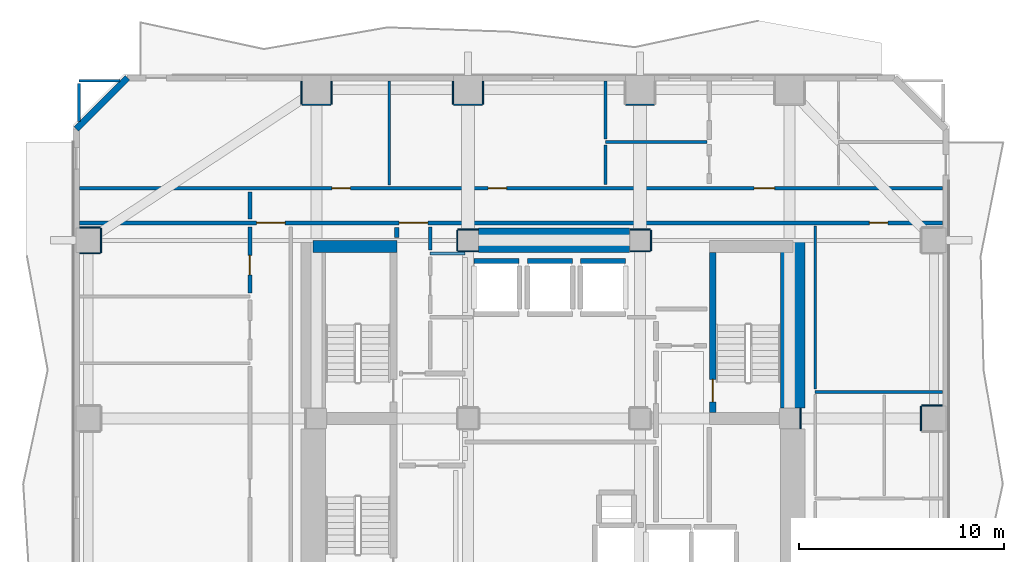
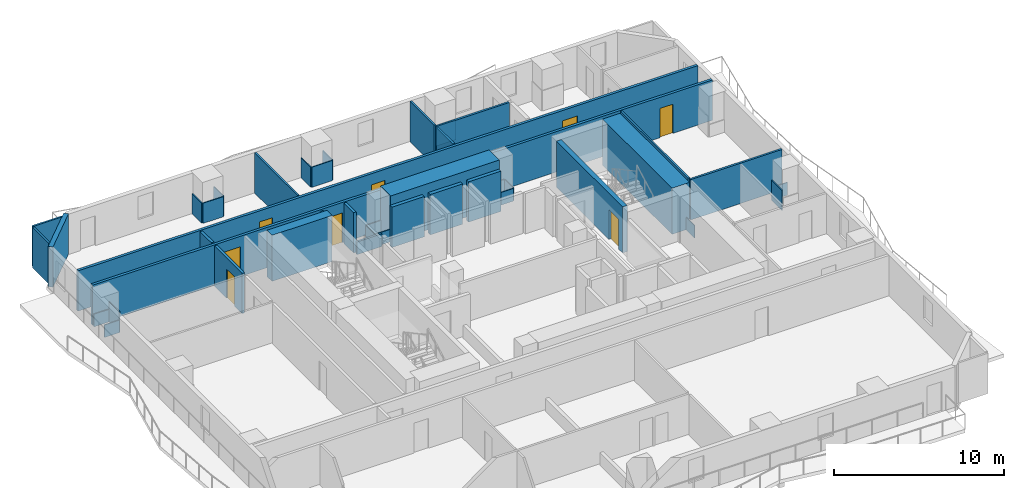
# One storey, part 5 of 10: 42 walls, 8 doors, 8 openings.
"""IFC4 building model written with IfcOpenShell, lengths in metres."""

from ifc_helpers import new_model, si_unit, direction, frame, frame_2d, origin, place, context, subcontext, project, spatial, rectangle, extrude, material, layer, layer_set, type_object, element, fill, save


model = new_model("IFC4")

# Units and contexts
model_context = context("Model", 3, precision=1e-05, world=origin(), true_north=direction((0.0, 1.0)))
body_context = subcontext(model_context, "Body", "Model", "MODEL_VIEW")
ifc_project = project(units=[si_unit("LENGTHUNIT", "METRE"), si_unit("AREAUNIT", "SQUARE_METRE"), si_unit("VOLUMEUNIT", "CUBIC_METRE"), si_unit("PLANEANGLEUNIT", "RADIAN"), si_unit("MASSUNIT", "GRAM", prefix="KILO")], contexts=[model_context])

# Site, building, storey
site_placement = place(None, origin())
site = spatial("IfcSite", under=ifc_project, at=site_placement, CompositionType="ELEMENT")
building_placement = place(site_placement, origin())
building = spatial("IfcBuilding", under=site, at=building_placement, Name="Solanera Arch Residences", CompositionType="ELEMENT")
storey_placement = place(building_placement, frame((0.0, 0.0, 38.60009765625)))
storey = spatial("IfcBuildingStorey", under=building, at=storey_placement, Name="L10", CompositionType="ELEMENT", Elevation=38.60009765625)

# Walls
ifc_material_1 = material(Name="Fire-Rated Gypsum Stud Partition", Category="gypsum")
ifc_layer_1 = layer(ifc_material_1, 0.06005859375)
ifc_layer_set_1 = layer_set([ifc_layer_1], Name="Fire-Rated Gypsum Stud Partition")
wall_type_1 = type_object("IfcWallType", Name="Column Acoustic Furring Wall 60", PredefinedType="PARTITIONING", material=ifc_layer_set_1)
for number, where, z_axis, x_axis, name in (
    (1, (20.300048828125, 38.867919921875, 0.0), (0.0, 0.0, 1.0), (1.0, 0.0, 0.0), "L10 Column Furring 3S"),
    (2, (20.300048828125, 39.931884765625, 0.0), (0.0, 0.0, 1.0), (1.0, 0.0, 0.0), "L10 Column Furring 3N"),
):
    element("IfcWall", number, at=place(storey_placement, frame(where, z_axis=z_axis, x_axis=x_axis)), inside=storey, type_object=wall_type_1, Name=name, PredefinedType="PARTITIONING", context=body_context, shape_type="SweptSolid", body=[
        extrude(rectangle(XDim=0.989990234375, YDim=0.06005859375, at=frame_2d((0.4951171875, 0.0))), origin(), (0.0, 0.0, 1.0), 0.90478515625),
    ])
wall_1_placement = place(storey_placement, frame((20.26806640625, 38.89990234375, 0.0), z_axis=(0.0, 0.0, 1.0), x_axis=(0.0, 1.0, 0.0)))
element("IfcWall", 3, at=wall_1_placement, inside=storey, type_object=wall_type_1, Name="L10 Column Furring 3W", PredefinedType="PARTITIONING", context=body_context, shape_type="SweptSolid", body=[
    extrude(rectangle(XDim=1.0, YDim=0.06005859375, at=frame_2d((0.5, 0.0))), origin(), (0.0, 0.0, 1.0), 0.90478515625),
])
for number, where, z_axis, x_axis, name in (
    (4, (28.7099609375, 38.867919921875, 0.0), (0.0, 0.0, 1.0), (1.0, 0.0, 0.0), "L10 Column Furring 4S"),
    (5, (28.7099609375, 39.931884765625, 0.0), (0.0, 0.0, 1.0), (1.0, 0.0, 0.0), "L10 Column Furring 4N"),
):
    element("IfcWall", number, at=place(storey_placement, frame(where, z_axis=z_axis, x_axis=x_axis)), inside=storey, type_object=wall_type_1, Name=name, PredefinedType="PARTITIONING", context=body_context, shape_type="SweptSolid", body=[
        extrude(rectangle(XDim=0.989990234375, YDim=0.06005859375, at=frame_2d((0.4951171875, 0.0))), origin(), (0.0, 0.0, 1.0), 0.90478515625),
    ])
wall_2_placement = place(storey_placement, frame((29.73193359375, 38.89990234375, 0.0), z_axis=(0.0, 0.0, 1.0), x_axis=(0.0, 1.0, 0.0)))
element("IfcWall", 6, at=wall_2_placement, inside=storey, type_object=wall_type_1, Name="L10 Column Furring 4E", PredefinedType="PARTITIONING", context=body_context, shape_type="SweptSolid", body=[
    extrude(rectangle(XDim=1.0, YDim=0.06005859375, at=frame_2d((0.5, 0.0))), origin(), (0.0, 0.0, 1.0), 0.90478515625),
])
wall_3_placement = place(storey_placement, frame((37.031982421875, 30.2099609375, 0.0), z_axis=(0.0, 0.0, 1.0), x_axis=(0.0, 1.0, 0.0)))
element("IfcWall", 7, at=wall_3_placement, inside=storey, type_object=wall_type_1, Name="L10 Column Furring 6E", PredefinedType="PARTITIONING", context=body_context, shape_type="SweptSolid", body=[
    extrude(rectangle(XDim=0.97998046875, YDim=0.06005859375, at=frame_2d((0.489990234375, 0.0))), origin(), (0.0, 0.0, 1.0), 0.90478515625),
])
wall_4_placement = place(storey_placement, frame((12.699951171875, 46.01806640625, 0.0), z_axis=(0.0, 0.0, 1.0), x_axis=(1.0, 0.0, 0.0)))
element("IfcWall", 8, at=wall_4_placement, inside=storey, type_object=wall_type_1, Name="L10 Column Furring 10S", PredefinedType="PARTITIONING", context=body_context, shape_type="SweptSolid", body=[
    extrude(rectangle(XDim=1.400146484375, YDim=0.06005859375, at=frame_2d((0.7001953125, 0.0))), origin(), (0.0, 0.0, 1.0), 1.449951171875),
])
for number, where, z_axis, x_axis, name in (
    (9, (12.66796875, 46.050048828125, 0.0), (0.0, 0.0, 1.0), (0.0, 1.0, 0.0), "L10 Column Furring 10W"),
    (10, (14.132080078125, 46.050048828125, 0.0), (0.0, 0.0, 1.0), (0.0, 1.0, 0.0), "L10 Column Furring 10E"),
):
    element("IfcWall", number, at=place(storey_placement, frame(where, z_axis=z_axis, x_axis=x_axis)), inside=storey, type_object=wall_type_1, Name=name, PredefinedType="PARTITIONING", context=body_context, shape_type="SweptSolid", body=[
        extrude(rectangle(XDim=1.119873046875, YDim=0.06005859375, at=frame_2d((0.56005859375, 0.0))), origin(), (0.0, 0.0, 1.0), 1.449951171875),
    ])
wall_5_placement = place(storey_placement, frame((20.10009765625, 46.01806640625, 0.0), z_axis=(0.0, 0.0, 1.0), x_axis=(1.0, 0.0, 0.0)))
element("IfcWall", 11, at=wall_5_placement, inside=storey, type_object=wall_type_1, Name="L10 Column Furring 12S", PredefinedType="PARTITIONING", context=body_context, shape_type="SweptSolid", body=[
    extrude(rectangle(XDim=1.39990234375, YDim=0.06005859375, at=frame_2d((0.699951171875, 0.0))), origin(), (0.0, 0.0, 1.0), 1.449951171875),
])
for number, where, z_axis, x_axis, name in (
    (12, (20.068115234375, 46.050048828125, 0.0), (0.0, 0.0, 1.0), (0.0, 1.0, 0.0), "L10 Column Furring 12W"),
    (13, (21.531982421875, 46.050048828125, 0.0), (0.0, 0.0, 1.0), (0.0, 1.0, 0.0), "L10 Column Furring 12E"),
):
    element("IfcWall", number, at=place(storey_placement, frame(where, z_axis=z_axis, x_axis=x_axis)), inside=storey, type_object=wall_type_1, Name=name, PredefinedType="PARTITIONING", context=body_context, shape_type="SweptSolid", body=[
        extrude(rectangle(XDim=1.119873046875, YDim=0.06005859375, at=frame_2d((0.56005859375, 0.0))), origin(), (0.0, 0.0, 1.0), 1.449951171875),
    ])
wall_6_placement = place(storey_placement, frame((28.5, 46.01806640625, 0.0), z_axis=(0.0, 0.0, 1.0), x_axis=(1.0, 0.0, 0.0)))
element("IfcWall", 14, at=wall_6_placement, inside=storey, type_object=wall_type_1, Name="L10 Column Furring 14S", PredefinedType="PARTITIONING", context=body_context, shape_type="SweptSolid", body=[
    extrude(rectangle(XDim=1.39990234375, YDim=0.06005859375, at=frame_2d((0.699951171875, 0.0))), origin(), (0.0, 0.0, 1.0), 1.449951171875),
])
wall_7_placement = place(storey_placement, frame((42.949951171875, 31.33203125, 0.0), z_axis=(0.0, 0.0, 1.0), x_axis=(1.0, 0.0, 0.0)))
element("IfcWall", 15, at=wall_7_placement, inside=storey, type_object=wall_type_1, Name="L10 Column Furring 20N", PredefinedType="PARTITIONING", context=body_context, shape_type="SweptSolid", body=[
    extrude(rectangle(XDim=1.02001953125, YDim=0.06005859375, at=frame_2d((0.510009765625, 0.0))), origin(), (0.0, 0.0, 1.0), 0.90478515625),
])
wall_8_placement = place(storey_placement, frame((42.91796875, 30.10009765625, 0.0), z_axis=(0.0, 0.0, 1.0), x_axis=(0.0, 1.0, 0.0)))
element("IfcWall", 16, at=wall_8_placement, inside=storey, type_object=wall_type_1, Name="L10 Column Furring 20W", PredefinedType="PARTITIONING", context=body_context, shape_type="SweptSolid", body=[
    extrude(rectangle(XDim=1.199951171875, YDim=0.06005859375, at=frame_2d((0.60009765625, 0.0))), origin(), (0.0, 0.0, 1.0), 1.449951171875),
])
for number, where, z_axis, x_axis, name in (
    (17, (1.830078125, 38.76806640625, 0.0), (0.0, 0.0, 1.0), (1.0, 0.0, 0.0), "L10 Column Furring 21S"),
    (18, (1.830078125, 40.031982421875, 0.0), (0.0, 0.0, 1.0), (1.0, 0.0, 0.0), "L10 Column Furring 21N"),
):
    element("IfcWall", number, at=place(storey_placement, frame(where, z_axis=z_axis, x_axis=x_axis)), inside=storey, type_object=wall_type_1, Name=name, PredefinedType="PARTITIONING", context=body_context, shape_type="SweptSolid", body=[
        extrude(rectangle(XDim=1.02001953125, YDim=0.06005859375, at=frame_2d((0.510009765625, 0.0))), origin(), (0.0, 0.0, 1.0), 0.90478515625),
    ])
wall_9_placement = place(storey_placement, frame((2.882080078125, 38.800048828125, 0.0), z_axis=(0.0, 0.0, 1.0), x_axis=(0.0, 1.0, 0.0)))
element("IfcWall", 19, at=wall_9_placement, inside=storey, type_object=wall_type_1, Name="L10 Column Furring 21E", PredefinedType="PARTITIONING", context=body_context, shape_type="SweptSolid", body=[
    extrude(rectangle(XDim=1.199951171875, YDim=0.06005859375, at=frame_2d((0.60009765625, 0.0))), origin(), (0.0, 0.0, 1.0), 1.449951171875),
])
ifc_material_2 = material(Name="Concrete C55/67 (f'c = 60 MPa)", Category="concrete")
ifc_layer_2 = layer(ifc_material_2, 1.199951171875)
ifc_layer_set_2 = layer_set([ifc_layer_2], Name="Concrete C55/67 (f'c = 60 MPa)")
wall_type_2 = type_object("IfcWallType", Name="Core Shear Wall CW-1200", PredefinedType="SHEAR", material=ifc_layer_set_2)
wall_10_placement = place(storey_placement, frame((36.659912109375, 31.205078125, 0.0), z_axis=(0.0, 0.0, 1.0), x_axis=(0.0, 1.0, 0.0)))
element("IfcWall", 20, at=wall_10_placement, inside=storey, type_object=wall_type_2, Name="L10 East Core North Shear Wall", PredefinedType="SHEAR", context=body_context, shape_type="SweptSolid", body=[
    extrude(rectangle(XDim=8.19482421875, YDim=1.199951171875, at=frame_2d((4.097412109375, 0.0))), origin(), (0.0, 0.0, 1.0), 3.31982421875),
])
wall_11_placement = place(storey_placement, frame((21.304931640625, 39.39990234375, 0.0), z_axis=(0.0, 0.0, 1.0), x_axis=(1.0, 0.0, 0.0)))
element("IfcWall", 21, at=wall_11_placement, inside=storey, type_object=wall_type_2, Name="L10 Central North Core Shear Wall", PredefinedType="SHEAR", context=body_context, shape_type="SweptSolid", body=[
    extrude(rectangle(XDim=7.39013671875, YDim=1.199951171875, at=frame_2d((3.695068359375, 0.0))), origin(), (0.0, 0.0, 1.0), 3.31982421875),
])

# Wall, opening, door
ifc_material_3 = material(Name="Concrete C40/50 (f'c = 45 MPa)", Category="concrete")
ifc_layer_3 = layer(ifc_material_3, 0.320068359375)
ifc_layer_set_3 = layer_set([ifc_layer_3], Name="Concrete C40/50 (f'c = 45 MPa)")
wall_type_3 = type_object("IfcWallType", Name="Core Shear Wall CW-320", PredefinedType="SHEAR", material=ifc_layer_set_3)
wall_12_placement = place(storey_placement, frame((32.739990234375, 31.0, 0.0), z_axis=(0.0, 0.0, 1.0), x_axis=(0.0, 1.0, 0.0)))
wall_12 = element("IfcWall", 22, at=wall_12_placement, inside=storey, type_object=wall_type_3, Name="L10 Stair ST-T2 West Shear Wall", PredefinedType="SHEAR", context=body_context, shape_type="SweptSolid", body=[
    extrude(rectangle(XDim=7.800048828125, YDim=0.320068359375, at=frame_2d((3.89990234375, 0.0))), origin(), (0.0, 0.0, 1.0), 3.31982421875),
])
opening_1_placement = place(wall_12_placement, frame((0.510009765625, 0.0, 0.0)))
opening_1 = element("IfcOpeningElement", 23, at=opening_1_placement, cuts=wall_12, Name="Opening DF-01", PredefinedType="OPENING", context=body_context, shape_type="SweptSolid", body=[
    extrude(rectangle(XDim=1.10009765625, YDim=2.14990234375, at=frame_2d((0.550048828125, 1.074951171875))), frame((0.0, 0.169921875, 0.0), z_axis=(0.0, -1.0, 0.0), x_axis=(1.0, 0.0, 0.0)), (0.0, 0.0, 1.0), 0.3401),
])
ifc_material_4 = material(Name="Fire-Rated Architectural Hardwood", Category="wood")
door_type_1 = type_object("IfcDoorType", Name="Stair Exit Fire Door DF-01", OperationType="NOTDEFINED", PredefinedType="DOOR", material=ifc_material_4)
door_1_placement = place(opening_1_placement, origin())
door_1 = element("IfcDoor", 24, at=door_1_placement, inside=storey, type_object=door_type_1, Name="DR-L10-STAIR-ST-T2", OperationType="SINGLE_SWING_LEFT", OverallHeight=2.14990234375, OverallWidth=1.10009765625, PredefinedType="DOOR", context=body_context, shape_type="SweptSolid", body=[
    extrude(rectangle(XDim=1.10009765625, YDim=2.14990234375, at=frame_2d((0.550048828125, 1.074951171875))), frame((0.0, 0.02490234375, 0.0), z_axis=(0.0, -1.0, 0.0), x_axis=(1.0, 0.0, 0.0)), (0.0, 0.0, 1.0), 0.050048828125),
])
fill(opening_1, door_1)

# Wall
ifc_material_5 = material(Name="Concrete C40/50 (f'c = 45 MPa)", Category="concrete")
ifc_layer_4 = layer(ifc_material_5, 0.60009765625)
ifc_layer_set_4 = layer_set([ifc_layer_4], Name="Concrete C40/50 (f'c = 45 MPa)")
wall_type_4 = type_object("IfcWallType", Name="Core Shear Wall CW-600", PredefinedType="SHEAR", material=ifc_layer_set_4)
wall_13_placement = place(storey_placement, frame((13.239990234375, 39.10009765625, 0.0), z_axis=(0.0, 0.0, 1.0), x_axis=(1.0, 0.0, 0.0)))
element("IfcWall", 25, at=wall_13_placement, inside=storey, type_object=wall_type_4, Name="L10 North-West Core Shear Wall", PredefinedType="SHEAR", context=body_context, shape_type="SweptSolid", body=[
    extrude(rectangle(XDim=4.080078125, YDim=0.60009765625, at=frame_2d((2.0400390625, 0.0))), origin(), (0.0, 0.0, 1.0), 3.31982421875),
])

# Wall, openings, doors
ifc_material_6 = material(Name="Autoclaved Aerated Concrete Blockwork", Category="masonry")
ifc_layer_5 = layer(ifc_material_6, 0.179931640625)
ifc_layer_set_5 = layer_set([ifc_layer_5], Name="Autoclaved Aerated Concrete Blockwork")
wall_type_5 = type_object("IfcWallType", Name="Corridor Fire Partition 180", PredefinedType="PARTITIONING", material=ifc_layer_set_5)
wall_14_placement = place(storey_placement, frame((1.826904296875, 40.25, 0.0), z_axis=(0.0, 0.0, 1.0), x_axis=(1.0, 0.0, 0.0)))
wall_14 = element("IfcWall", 26, at=wall_14_placement, inside=storey, type_object=wall_type_5, Name="L10 Interior Partition H10", PredefinedType="PARTITIONING", context=body_context, shape_type="SweptSolid", body=[
    extrude(rectangle(XDim=42.14599609375, YDim=0.179931640625, at=frame_2d((21.072998046875, 0.0))), origin(), (0.0, 0.0, 1.0), 2.89990234375),
])
opening_2_placement = place(wall_14_placement, frame((15.60791015625, 0.0, 0.0)))
opening_2 = element("IfcOpeningElement", 27, at=opening_2_placement, cuts=wall_14, Name="Opening DF-03", PredefinedType="OPENING", context=body_context, shape_type="SweptSolid", body=[
    extrude(rectangle(XDim=1.39990234375, YDim=2.14990234375, at=frame_2d((0.699951171875, 1.074951171875))), frame((0.0, 0.10009765625, 0.0), z_axis=(0.0, -1.0, 0.0), x_axis=(1.0, 0.0, 0.0)), (0.0, 0.0, 1.0), 0.1999),
])
opening_3_placement = place(wall_14_placement, frame((8.64697265625, 0.0, 0.0)))
opening_3 = element("IfcOpeningElement", 28, at=opening_3_placement, cuts=wall_14, Name="Opening DF-03", PredefinedType="OPENING", context=body_context, shape_type="SweptSolid", body=[
    extrude(rectangle(XDim=1.39990234375, YDim=2.14990234375, at=frame_2d((0.699951171875, 1.074951171875))), frame((0.0, 0.10009765625, 0.0), z_axis=(0.0, -1.0, 0.0), x_axis=(1.0, 0.0, 0.0)), (0.0, 0.0, 1.0), 0.1999),
])
opening_4_placement = place(wall_14_placement, frame((38.573974609375, 0.0, 0.0)))
opening_4 = element("IfcOpeningElement", 29, at=opening_4_placement, cuts=wall_14, Name="Opening DI-02", PredefinedType="OPENING", context=body_context, shape_type="SweptSolid", body=[
    extrude(rectangle(XDim=0.89990234375, YDim=2.10009765625, at=frame_2d((0.449951171875, 1.050048828125))), frame((0.0, 0.10009765625, 0.0), z_axis=(0.0, -1.0, 0.0), x_axis=(1.0, 0.0, 0.0)), (0.0, 0.0, 1.0), 0.1999),
])
ifc_material_7 = material(Name="Fire-Rated Architectural Hardwood", Category="wood")
door_type_2 = type_object("IfcDoorType", Name="Corridor Smoke Door DF-03", OperationType="NOTDEFINED", PredefinedType="DOOR", material=ifc_material_7)
door_2_placement = place(opening_2_placement, origin())
door_2 = element("IfcDoor", 30, at=door_2_placement, inside=storey, type_object=door_type_2, Name="DR-L10-IN-009", OperationType="SINGLE_SWING_RIGHT", OverallHeight=2.14990234375, OverallWidth=1.39990234375, PredefinedType="DOOR", context=body_context, shape_type="SweptSolid", body=[
    extrude(rectangle(XDim=1.39990234375, YDim=2.14990234375, at=frame_2d((0.699951171875, 1.074951171875))), frame((0.0, 0.02490234375, 0.0), z_axis=(0.0, -1.0, 0.0), x_axis=(1.0, 0.0, 0.0)), (0.0, 0.0, 1.0), 0.050048828125),
])
fill(opening_2, door_2)
door_3_placement = place(opening_3_placement, origin())
door_3 = element("IfcDoor", 31, at=door_3_placement, inside=storey, type_object=door_type_2, Name="DR-L10-IN-011", OperationType="SINGLE_SWING_RIGHT", OverallHeight=2.14990234375, OverallWidth=1.39990234375, PredefinedType="DOOR", context=body_context, shape_type="SweptSolid", body=[
    extrude(rectangle(XDim=1.39990234375, YDim=2.14990234375, at=frame_2d((0.699951171875, 1.074951171875))), frame((0.0, 0.02490234375, 0.0), z_axis=(0.0, -1.0, 0.0), x_axis=(1.0, 0.0, 0.0)), (0.0, 0.0, 1.0), 0.050048828125),
])
fill(opening_3, door_3)
ifc_material_8 = material(Name="Fire-Rated Architectural Hardwood", Category="wood")
door_type_3 = type_object("IfcDoorType", Name="Suite Room Swing Door DI-02", OperationType="NOTDEFINED", PredefinedType="DOOR", material=ifc_material_8)
door_4_placement = place(opening_4_placement, origin())
door_4 = element("IfcDoor", 32, at=door_4_placement, inside=storey, type_object=door_type_3, Name="DR-L10-IN-035", OperationType="SINGLE_SWING_RIGHT", OverallHeight=2.10009765625, OverallWidth=0.89990234375, PredefinedType="DOOR", context=body_context, shape_type="SweptSolid", body=[
    extrude(rectangle(XDim=0.89990234375, YDim=2.10009765625, at=frame_2d((0.449951171875, 1.050048828125))), frame((0.0, 0.02490234375, 0.0), z_axis=(0.0, -1.0, 0.0), x_axis=(1.0, 0.0, 0.0)), (0.0, 0.0, 1.0), 0.050048828125),
])
fill(opening_4, door_4)

wall_15_placement = place(storey_placement, frame((1.826904296875, 41.949951171875, 0.0), z_axis=(0.0, 0.0, 1.0), x_axis=(1.0, 0.0, 0.0)))
wall_15 = element("IfcWall", 33, at=wall_15_placement, inside=storey, type_object=wall_type_5, Name="L10 Interior Partition H11", PredefinedType="PARTITIONING", context=body_context, shape_type="SweptSolid", body=[
    extrude(rectangle(XDim=42.14599609375, YDim=0.179931640625, at=frame_2d((21.072998046875, 0.0))), origin(), (0.0, 0.0, 1.0), 2.89990234375),
])
opening_5_placement = place(wall_15_placement, frame((12.322021484375, 0.0, 0.0)))
opening_5 = element("IfcOpeningElement", 34, at=opening_5_placement, cuts=wall_15, Name="Opening DI-02", PredefinedType="OPENING", context=body_context, shape_type="SweptSolid", body=[
    extrude(rectangle(XDim=0.89990234375, YDim=2.10009765625, at=frame_2d((0.449951171875, 1.050048828125))), frame((0.0, 0.10009765625, 0.0), z_axis=(0.0, -1.0, 0.0), x_axis=(1.0, 0.0, 0.0)), (0.0, 0.0, 1.0), 0.1999),
])
opening_6_placement = place(wall_15_placement, frame((19.95703125, 0.0, 0.0)))
opening_6 = element("IfcOpeningElement", 35, at=opening_6_placement, cuts=wall_15, Name="Opening DI-02", PredefinedType="OPENING", context=body_context, shape_type="SweptSolid", body=[
    extrude(rectangle(XDim=0.89990234375, YDim=2.10009765625, at=frame_2d((0.449951171875, 1.050048828125))), frame((0.0, 0.10009765625, 0.0), z_axis=(0.0, -1.0, 0.0), x_axis=(1.0, 0.0, 0.0)), (0.0, 0.0, 1.0), 0.1999),
])
opening_7_placement = place(wall_15_placement, frame((32.949951171875, 0.0, 0.0)))
opening_7 = element("IfcOpeningElement", 36, at=opening_7_placement, cuts=wall_15, Name="Opening DI-01", PredefinedType="OPENING", context=body_context, shape_type="SweptSolid", body=[
    extrude(rectangle(XDim=1.0, YDim=2.14990234375, at=frame_2d((0.5, 1.074951171875))), frame((0.0, 0.10009765625, 0.0), z_axis=(0.0, -1.0, 0.0), x_axis=(1.0, 0.0, 0.0)), (0.0, 0.0, 1.0), 0.1999),
])
door_5_placement = place(opening_5_placement, origin())
door_5 = element("IfcDoor", 37, at=door_5_placement, inside=storey, type_object=door_type_3, Name="DR-L10-IN-022", OperationType="SINGLE_SWING_LEFT", OverallHeight=2.10009765625, OverallWidth=0.89990234375, PredefinedType="DOOR", context=body_context, shape_type="SweptSolid", body=[
    extrude(rectangle(XDim=0.89990234375, YDim=2.10009765625, at=frame_2d((0.449951171875, 1.050048828125))), frame((0.0, 0.02490234375, 0.0), z_axis=(0.0, -1.0, 0.0), x_axis=(1.0, 0.0, 0.0)), (0.0, 0.0, 1.0), 0.050048828125),
])
fill(opening_5, door_5)
door_6_placement = place(opening_6_placement, origin())
door_6 = element("IfcDoor", 38, at=door_6_placement, inside=storey, type_object=door_type_3, Name="DR-L10-IN-023", OperationType="SINGLE_SWING_RIGHT", OverallHeight=2.10009765625, OverallWidth=0.89990234375, PredefinedType="DOOR", context=body_context, shape_type="SweptSolid", body=[
    extrude(rectangle(XDim=0.89990234375, YDim=2.10009765625, at=frame_2d((0.449951171875, 1.050048828125))), frame((0.0, 0.02490234375, 0.0), z_axis=(0.0, -1.0, 0.0), x_axis=(1.0, 0.0, 0.0)), (0.0, 0.0, 1.0), 0.050048828125),
])
fill(opening_6, door_6)
ifc_material_9 = material(Name="Fire-Rated Architectural Hardwood", Category="wood")
door_type_4 = type_object("IfcDoorType", Name="Unit Entrance Fire Door DI-01", OperationType="NOTDEFINED", PredefinedType="DOOR", material=ifc_material_9)
door_7_placement = place(opening_7_placement, origin())
door_7 = element("IfcDoor", 39, at=door_7_placement, inside=storey, type_object=door_type_4, Name="DR-L10-IN-024", OperationType="SINGLE_SWING_LEFT", OverallHeight=2.14990234375, OverallWidth=1.0, PredefinedType="DOOR", context=body_context, shape_type="SweptSolid", body=[
    extrude(rectangle(XDim=1.0, YDim=2.14990234375, at=frame_2d((0.5, 1.074951171875))), frame((0.0, 0.02490234375, 0.0), z_axis=(0.0, -1.0, 0.0), x_axis=(1.0, 0.0, 0.0)), (0.0, 0.0, 1.0), 0.050048828125),
])
fill(opening_7, door_7)

# Wall, opening, door
wall_16_placement = place(storey_placement, frame((10.14990234375, 36.818115234375, 0.0), z_axis=(0.0, 0.0, 1.0), x_axis=(0.0, 1.0, 0.0)))
wall_16 = element("IfcWall", 40, at=wall_16_placement, inside=storey, type_object=wall_type_5, Name="L10 Interior Partition V8 4", PredefinedType="PARTITIONING", context=body_context, shape_type="SweptSolid", body=[
    extrude(rectangle(XDim=3.243896484375, YDim=0.179931640625, at=frame_2d((1.6220703125, 0.0))), origin(), (0.0, 0.0, 1.0), 2.89990234375),
])
opening_8_placement = place(wall_16_placement, frame((0.89306640625, 0.0, 0.0)))
opening_8 = element("IfcOpeningElement", 41, at=opening_8_placement, cuts=wall_16, Name="Opening DI-04", PredefinedType="OPENING", context=body_context, shape_type="SweptSolid", body=[
    extrude(rectangle(XDim=0.949951171875, YDim=2.10009765625, at=frame_2d((0.47509765625, 1.050048828125))), frame((0.0, 0.10009765625, 0.0), z_axis=(0.0, -1.0, 0.0), x_axis=(1.0, 0.0, 0.0)), (0.0, 0.0, 1.0), 0.1999),
])
ifc_material_10 = material(Name="Fire-Rated Architectural Hardwood", Category="wood")
door_type_5 = type_object("IfcDoorType", Name="Accessible Restroom Door DI-04", OperationType="NOTDEFINED", PredefinedType="DOOR", material=ifc_material_10)
door_8_placement = place(opening_8_placement, origin())
door_8 = element("IfcDoor", 42, at=door_8_placement, inside=storey, type_object=door_type_5, Name="DR-L10-IN-031", OperationType="SINGLE_SWING_RIGHT", OverallHeight=2.10009765625, OverallWidth=0.949951171875, PredefinedType="DOOR", context=body_context, shape_type="SweptSolid", body=[
    extrude(rectangle(XDim=0.949951171875, YDim=2.10009765625, at=frame_2d((0.47509765625, 1.050048828125))), frame((0.0, 0.02490234375, 0.0), z_axis=(0.0, -1.0, 0.0), x_axis=(1.0, 0.0, 0.0)), (0.0, 0.0, 1.0), 0.050048828125),
])
fill(opening_8, door_8)

# Walls
wall_17_placement = place(storey_placement, frame((10.14990234375, 40.43798828125, 0.0), z_axis=(0.0, 0.0, 1.0), x_axis=(0.0, 1.0, 0.0)))
element("IfcWall", 43, at=wall_17_placement, inside=storey, type_object=wall_type_5, Name="L10 Interior Partition V8 5", PredefinedType="PARTITIONING", context=body_context, shape_type="SweptSolid", body=[
    extrude(rectangle(XDim=1.323974609375, YDim=0.179931640625, at=frame_2d((0.662109375, 0.0))), origin(), (0.0, 0.0, 1.0), 2.89990234375),
])
wall_18_placement = place(storey_placement, frame((18.949951171875, 38.91796875, 0.0), z_axis=(0.0, 0.0, 1.0), x_axis=(0.0, 1.0, 0.0)))
element("IfcWall", 44, at=wall_18_placement, inside=storey, type_object=wall_type_5, Name="L10 Interior Partition V10 3", PredefinedType="PARTITIONING", context=body_context, shape_type="SweptSolid", body=[
    extrude(rectangle(XDim=1.14404296875, YDim=0.179931640625, at=frame_2d((0.572021484375, 0.0))), origin(), (0.0, 0.0, 1.0), 2.89990234375),
])
ifc_material_11 = material(Name="Precast Concrete C35/45", Category="concrete")
ifc_layer_6 = layer(ifc_material_11, 0.300048828125)
ifc_layer_set_6 = layer_set([ifc_layer_6], Name="Precast Concrete C35/45")
wall_type_6 = type_object("IfcWallType", Name="Exterior Wall Precast Masonry-Frame 300", PredefinedType="STANDARD", material=ifc_layer_set_6)
wall_19_placement = place(storey_placement, frame((1.6650390625, 44.8349609375, 0.0), z_axis=(0.0, 0.0, 1.0), x_axis=(0.707106781187, 0.707106781187, 0.0)))
element("IfcWall", 45, at=wall_19_placement, inside=storey, type_object=wall_type_6, Name="L10 Tower Exterior Precast Masonry-Frame Wall CH1", PredefinedType="STANDARD", context=body_context, shape_type="SweptSolid", body=[
    extrude(rectangle(XDim=3.53564453125, YDim=0.300048828125, at=frame_2d((1.767822265625, 0.0))), origin(), (0.0, 0.0, 1.0), 2.89990234375),
])
ifc_material_12 = material(Name="Autoclaved Aerated Concrete Blockwork", Category="masonry")
ifc_layer_7 = layer(ifc_material_12, 0.239990234375)
ifc_layer_set_7 = layer_set([ifc_layer_7], Name="Autoclaved Aerated Concrete Blockwork")
wall_type_7 = type_object("IfcWallType", Name="Shaft Wall Fire-Rated 240", PredefinedType="PARTITIONING", material=ifc_layer_set_7)
for number, where, z_axis, x_axis, name in (
    (46, (21.10009765625, 38.39990234375, 0.0), (0.0, 0.0, 1.0), (1.0, 0.0, 0.0), "L10 Lift PL-L1 Hoistway Wall N"),
    (47, (23.699951171875, 38.39990234375, 0.0), (0.0, 0.0, 1.0), (1.0, 0.0, 0.0), "L10 Lift PL-L2 Hoistway Wall N"),
    (48, (26.300048828125, 38.39990234375, 0.0), (0.0, 0.0, 1.0), (1.0, 0.0, 0.0), "L10 Lift PL-L3 Hoistway Wall N"),
):
    element("IfcWall", number, at=place(storey_placement, frame(where, z_axis=z_axis, x_axis=x_axis)), inside=storey, type_object=wall_type_7, Name=name, PredefinedType="PARTITIONING", context=body_context, shape_type="SweptSolid", body=[
        extrude(rectangle(XDim=2.199951171875, YDim=0.239990234375, at=frame_2d((1.10009765625, 0.0))), origin(), (0.0, 0.0, 1.0), 2.89990234375),
    ])
wall_20_placement = place(storey_placement, frame((17.320068359375, 39.530029296875, 0.0), z_axis=(0.0, 0.0, 1.0), x_axis=(0.0, 1.0, 0.0)))
element("IfcWall", 49, at=wall_20_placement, inside=storey, type_object=wall_type_7, Name="L10 Interior Partition V1", PredefinedType="PARTITIONING", context=body_context, shape_type="SweptSolid", body=[
    extrude(rectangle(XDim=0.501953125, YDim=0.239990234375, at=frame_2d((0.2509765625, 0.0))), origin(), (0.0, 0.0, 1.0), 2.89990234375),
])
ifc_material_13 = material(Name="Fire-Rated Gypsum Stud Partition", Category="gypsum")
ifc_layer_8 = layer(ifc_material_13, 0.1201171875)
ifc_layer_set_8 = layer_set([ifc_layer_8], Name="Fire-Rated Gypsum Stud Partition")
wall_type_8 = type_object("IfcWallType", Name="Unit Drywall Partition 120", PredefinedType="PARTITIONING", material=ifc_layer_set_8)
wall_21_placement = place(storey_placement, frame((1.800048828125, 47.199951171875, 0.0), z_axis=(0.0, 0.0, 1.0), x_axis=(1.0, 0.0, 0.0)))
element("IfcWall", 50, at=wall_21_placement, inside=storey, type_object=wall_type_8, Name="L10 Interior Partition H21 1", PredefinedType="PARTITIONING", context=body_context, shape_type="SweptSolid", body=[
    extrude(rectangle(XDim=2.0009765625, YDim=0.1201171875, at=frame_2d((1.00048828125, 0.0))), origin(), (0.0, 0.0, 1.0), 2.89990234375),
])
wall_22_placement = place(storey_placement, frame((16.947998046875, 42.10791015625, 0.0), z_axis=(0.0, 0.0, 1.0), x_axis=(0.0, 1.0, 0.0)))
element("IfcWall", 51, at=wall_22_placement, inside=storey, type_object=wall_type_8, Name="L10 Interior Partition V19", PredefinedType="PARTITIONING", context=body_context, shape_type="SweptSolid", body=[
    extrude(rectangle(XDim=5.065185546875, YDim=0.1201171875, at=frame_2d((2.53271484375, 0.0))), origin(), (0.0, 0.0, 1.0), 2.89990234375),
])
wall_23_placement = place(storey_placement, frame((37.75, 32.137939453125, 0.0), z_axis=(0.0, 0.0, 1.0), x_axis=(0.0, 1.0, 0.0)))
element("IfcWall", 52, at=wall_23_placement, inside=storey, type_object=wall_type_8, Name="L10 Interior Partition V21 3", PredefinedType="PARTITIONING", context=body_context, shape_type="SweptSolid", body=[
    extrude(rectangle(XDim=7.9541015625, YDim=0.1201171875, at=frame_2d((3.97705078125, 0.0))), origin(), (0.0, 0.0, 1.0), 2.89990234375),
])
ifc_material_14 = material(Name="Autoclaved Aerated Concrete Blockwork", Category="masonry")
ifc_layer_9 = layer(ifc_material_14, 0.139892578125)
ifc_layer_set_9 = layer_set([ifc_layer_9], Name="Autoclaved Aerated Concrete Blockwork")
wall_type_9 = type_object("IfcWallType", Name="Wet-Room Partition 140", PredefinedType="PARTITIONING", material=ifc_layer_set_9)
wall_24_placement = place(storey_placement, frame((37.75, 32.0, 0.0), z_axis=(0.0, 0.0, 1.0), x_axis=(1.0, 0.0, 0.0)))
element("IfcWall", 53, at=wall_24_placement, inside=storey, type_object=wall_type_9, Name="L10 Interior Partition H14", PredefinedType="PARTITIONING", context=body_context, shape_type="SweptSolid", body=[
    extrude(rectangle(XDim=6.222900390625, YDim=0.139892578125, at=frame_2d((3.111328125, 0.0))), origin(), (0.0, 0.0, 1.0), 2.89990234375),
])
wall_25_placement = place(storey_placement, frame((18.949951171875, 38.75, 0.0), z_axis=(0.0, 0.0, 1.0), x_axis=(1.0, 0.0, 0.0)))
element("IfcWall", 54, at=wall_25_placement, inside=storey, type_object=wall_type_9, Name="L10 Interior Partition H16", PredefinedType="PARTITIONING", context=body_context, shape_type="SweptSolid", body=[
    extrude(rectangle(XDim=1.699951171875, YDim=0.139892578125, at=frame_2d((0.85009765625, 0.0))), origin(), (0.0, 0.0, 1.0), 0.90478515625),
])
wall_26_placement = place(storey_placement, frame((27.52001953125, 44.2080078125, 0.0), z_axis=(0.0, 0.0, 1.0), x_axis=(1.0, 0.0, 0.0)))
element("IfcWall", 55, at=wall_26_placement, inside=storey, type_object=wall_type_9, Name="L10 Interior Partition H17", PredefinedType="PARTITIONING", context=body_context, shape_type="SweptSolid", body=[
    extrude(rectangle(XDim=4.944091796875, YDim=0.139892578125, at=frame_2d((2.47216796875, 0.0))), origin(), (0.0, 0.0, 1.0), 2.89990234375),
])
wall_27_placement = place(storey_placement, frame((1.800048828125, 45.198974609375, 0.0), z_axis=(0.0, 0.0, 1.0), x_axis=(0.0, 1.0, 0.0)))
element("IfcWall", 56, at=wall_27_placement, inside=storey, type_object=wall_type_9, Name="L10 Interior Partition V14", PredefinedType="PARTITIONING", context=body_context, shape_type="SweptSolid", body=[
    extrude(rectangle(XDim=1.863037109375, YDim=0.139892578125, at=frame_2d((0.931640625, 0.0))), origin(), (0.0, 0.0, 1.0), 2.89990234375),
])
wall_28_placement = place(storey_placement, frame((27.52001953125, 42.117919921875, 0.0), z_axis=(0.0, 0.0, 1.0), x_axis=(0.0, 1.0, 0.0)))
element("IfcWall", 57, at=wall_28_placement, inside=storey, type_object=wall_type_9, Name="L10 Interior Partition V16 1", PredefinedType="PARTITIONING", context=body_context, shape_type="SweptSolid", body=[
    extrude(rectangle(XDim=1.942138671875, YDim=0.139892578125, at=frame_2d((0.97119140625, 0.0))), origin(), (0.0, 0.0, 1.0), 2.89990234375),
])
wall_29_placement = place(storey_placement, frame((27.52001953125, 44.35595703125, 0.0), z_axis=(0.0, 0.0, 1.0), x_axis=(0.0, 1.0, 0.0)))
element("IfcWall", 58, at=wall_29_placement, inside=storey, type_object=wall_type_9, Name="L10 Interior Partition V16 2", PredefinedType="PARTITIONING", context=body_context, shape_type="SweptSolid", body=[
    extrude(rectangle(XDim=2.817138671875, YDim=0.139892578125, at=frame_2d((1.40869140625, 0.0))), origin(), (0.0, 0.0, 1.0), 2.89990234375),
])

save(model, "model.ifc")
